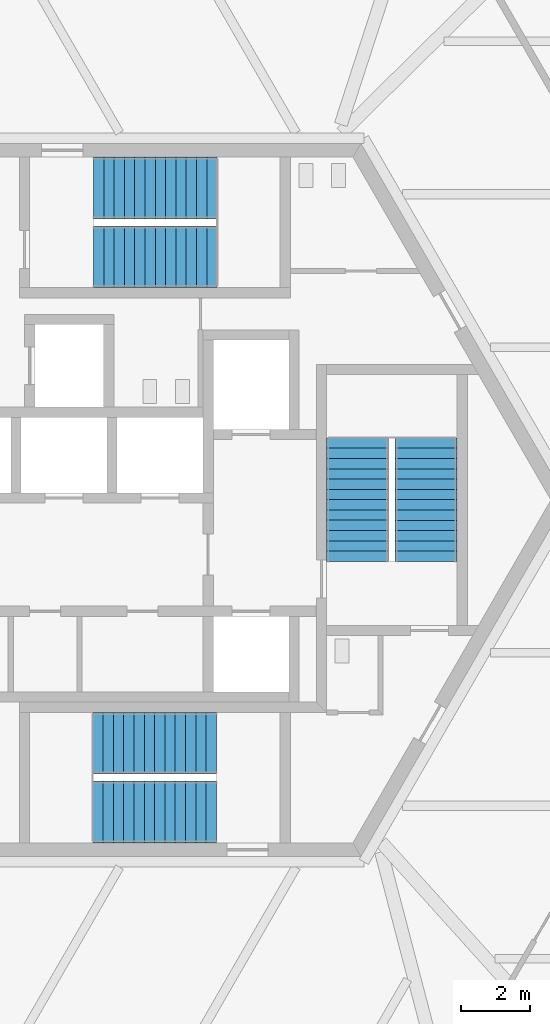
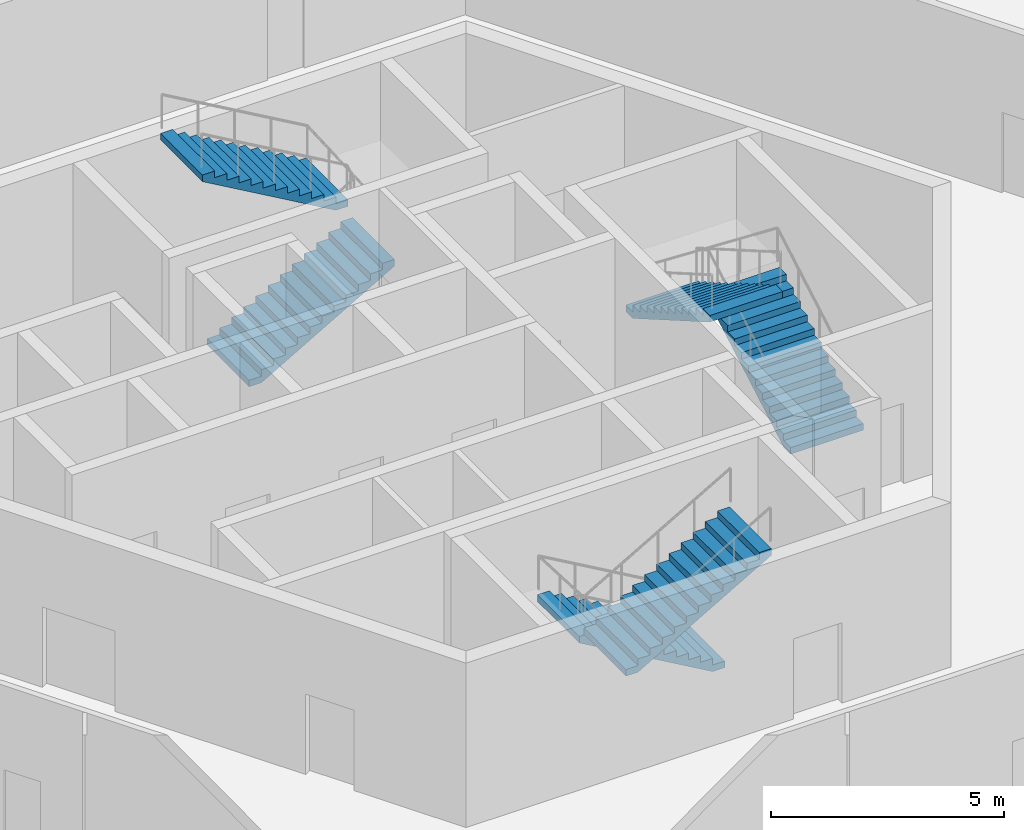
# One storey, part 23 of 25: 6 stair flights, 3 elements without a shape of their own.
"""IFC4 building model written with IfcOpenShell, lengths in metres."""

from ifc_helpers import new_model, si_unit, direction, frame, origin, place, context, subcontext, project, spatial, polyline, outline, extrude, source, transform, mapped, material, type_object, element, aggregate, save


model = new_model("IFC4")

# Units and contexts
model_context = context("Model", 3, precision=1e-05, world=origin(), true_north=direction((0.0, 1.0)))
body_context = subcontext(model_context, "Body", "Model", "MODEL_VIEW")
ifc_project = project(units=[si_unit("LENGTHUNIT", "METRE"), si_unit("AREAUNIT", "SQUARE_METRE"), si_unit("VOLUMEUNIT", "CUBIC_METRE"), si_unit("PLANEANGLEUNIT", "RADIAN"), si_unit("MASSUNIT", "GRAM", prefix="KILO")], contexts=[model_context])

# Site, building, storey
site_placement = place(None, origin())
site = spatial("IfcSite", under=ifc_project, at=site_placement, CompositionType="ELEMENT")
building_placement = place(site_placement, origin())
building = spatial("IfcBuilding", under=site, at=building_placement, Name="Triune Harvest Tower", CompositionType="ELEMENT")
storey_placement = place(building_placement, frame((0.0, 0.0, 11.5)))
storey = spatial("IfcBuildingStorey", under=building, at=storey_placement, Name="L02", CompositionType="ELEMENT", Elevation=11.5)

# Stair, stair flights
ifc_material_1 = material(Name="Concrete 40 MPa", Category="concrete")
stair_type = type_object("IfcStairType", Name="Exit stair 1800 half turn", PredefinedType="HALF_TURN_STAIR", material=ifc_material_1)
stair_1_placement = place(storey_placement, origin())
stair_1 = element("IfcStair", 1, at=stair_1_placement, inside=storey, type_object=stair_type, Name="Exit stair north", PredefinedType="HALF_TURN_STAIR")
ifc_material_2 = material(Name="Concrete 40 MPa", Category="concrete")
stair_flight_type = type_object("IfcStairFlightType", Name="Stair flight 1800", PredefinedType="STRAIGHT", material=ifc_material_2)
shared_shape = source(origin(), body_context, "Body", "SweptSolid", [
    extrude(outline(polyline([(0.0, 0.0), (0.0, 0.173095703125), (0.300048828125, 0.173095703125), (0.300048828125, 0.34619140625), (0.60009765625, 0.34619140625), (0.60009765625, 0.519287109375), (0.89990234375, 0.519287109375), (0.89990234375, 0.6923828125), (1.199951171875, 0.6923828125), (1.199951171875, 0.865478515625), (1.5, 0.865478515625), (1.5, 1.03857421875), (1.800048828125, 1.03857421875), (1.800048828125, 1.211669921875), (2.10009765625, 1.211669921875), (2.10009765625, 1.384521484375), (2.39990234375, 1.384521484375), (2.39990234375, 1.5576171875), (2.699951171875, 1.5576171875), (2.699951171875, 1.730712890625), (3.0, 1.730712890625), (3.0, 1.90380859375), (3.300048828125, 1.90380859375), (3.300048828125, 2.076904296875), (3.60009765625, 2.076904296875), (3.60009765625, 2.25), (3.60009765625, 1.90380859375), (0.300048828125, 0.0), (0.0, 0.0)])), frame((0.0, 0.89990234375, 0.0), z_axis=(0.0, -1.0, 0.0), x_axis=(1.0, 0.0, 0.0)), (0.0, 0.0, 1.0), 1.800048828125),
])
stair_flight_1_placement = place(storey_placement, frame((-1.7900390625, 7.090087890625, 0.0), z_axis=(0.0, 0.0, 1.0), x_axis=(1.0, 0.0, 0.0)))
stair_flight_1 = element("IfcStairFlight", 2, at=stair_flight_1_placement, type_object=stair_flight_type, Name="ST-1 flight 1", NumberOfRisers=13, NumberOfTreads=12, PredefinedType="STRAIGHT", RiserHeight=0.17308, TreadLength=0.3, context=body_context, shape_type="MappedRepresentation", body=[
    mapped(shared_shape, transform((0.0, 0.0, 0.0), scale=1.0)),
])
stair_flight_2_placement = place(storey_placement, frame((1.81005859375, 9.090087890625, 2.25), z_axis=(0.0, 0.0, 1.0), x_axis=(-1.0, 0.0, 0.0)))
stair_flight_2 = element("IfcStairFlight", 3, at=stair_flight_2_placement, type_object=stair_flight_type, Name="ST-1 flight 2", NumberOfRisers=13, NumberOfTreads=12, PredefinedType="STRAIGHT", RiserHeight=0.17308, TreadLength=0.3, context=body_context, shape_type="MappedRepresentation", body=[
    mapped(shared_shape, transform((0.0, 0.0, 0.0), scale=1.0)),
])
aggregate(stair_1, [stair_flight_1, stair_flight_2])

stair_2_placement = place(storey_placement, origin())
stair_2 = element("IfcStair", 4, at=stair_2_placement, inside=storey, type_object=stair_type, Name="Exit stair south", PredefinedType="HALF_TURN_STAIR")
stair_flight_3_placement = place(storey_placement, frame((1.7900390625, -7.090087890625, 0.0), z_axis=(0.0, 0.0, 1.0), x_axis=(-1.0, 0.0, 0.0)))
stair_flight_3 = element("IfcStairFlight", 5, at=stair_flight_3_placement, type_object=stair_flight_type, Name="ST-2 flight 1", NumberOfRisers=13, NumberOfTreads=12, PredefinedType="STRAIGHT", RiserHeight=0.17308, TreadLength=0.3, context=body_context, shape_type="MappedRepresentation", body=[
    mapped(shared_shape, transform((0.0, 0.0, 0.0), scale=1.0)),
])
stair_flight_4_placement = place(storey_placement, frame((-1.81005859375, -9.090087890625, 2.25), z_axis=(0.0, 0.0, 1.0), x_axis=(1.0, 0.0, 0.0)))
stair_flight_4 = element("IfcStairFlight", 6, at=stair_flight_4_placement, type_object=stair_flight_type, Name="ST-2 flight 2", NumberOfRisers=13, NumberOfTreads=12, PredefinedType="STRAIGHT", RiserHeight=0.17308, TreadLength=0.3, context=body_context, shape_type="MappedRepresentation", body=[
    mapped(shared_shape, transform((0.0, 0.0, 0.0), scale=1.0)),
])
aggregate(stair_2, [stair_flight_3, stair_flight_4])

stair_3_placement = place(storey_placement, origin())
stair_3 = element("IfcStair", 7, at=stair_3_placement, inside=storey, type_object=stair_type, Name="Exit stair east", PredefinedType="HALF_TURN_STAIR")
stair_flight_5_placement = place(storey_placement, frame((7.89990234375, -1.7900390625, 0.0), z_axis=(0.0, 0.0, 1.0), x_axis=(0.0, 1.0, 0.0)))
stair_flight_5 = element("IfcStairFlight", 8, at=stair_flight_5_placement, type_object=stair_flight_type, Name="ST-3 flight 1", NumberOfRisers=13, NumberOfTreads=12, PredefinedType="STRAIGHT", RiserHeight=0.17308, TreadLength=0.3, context=body_context, shape_type="MappedRepresentation", body=[
    mapped(shared_shape, transform((0.0, 0.0, 0.0), scale=1.0)),
])
stair_flight_6_placement = place(storey_placement, frame((5.89990234375, 1.81005859375, 2.25), z_axis=(0.0, 0.0, 1.0), x_axis=(0.0, -1.0, 0.0)))
stair_flight_6 = element("IfcStairFlight", 9, at=stair_flight_6_placement, type_object=stair_flight_type, Name="ST-3 flight 2", NumberOfRisers=13, NumberOfTreads=12, PredefinedType="STRAIGHT", RiserHeight=0.17308, TreadLength=0.3, context=body_context, shape_type="MappedRepresentation", body=[
    mapped(shared_shape, transform((0.0, 0.0, 0.0), scale=1.0)),
])
aggregate(stair_3, [stair_flight_5, stair_flight_6])

save(model, "model.ifc")
